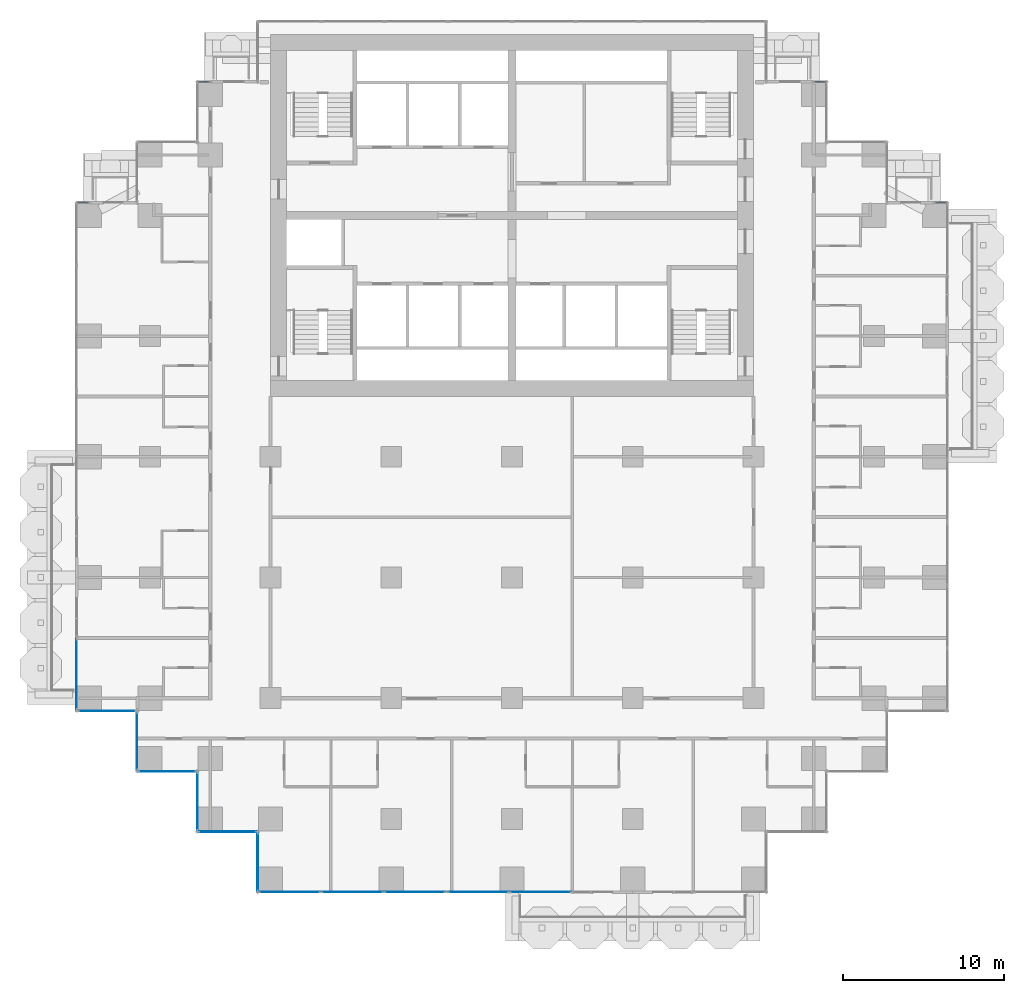
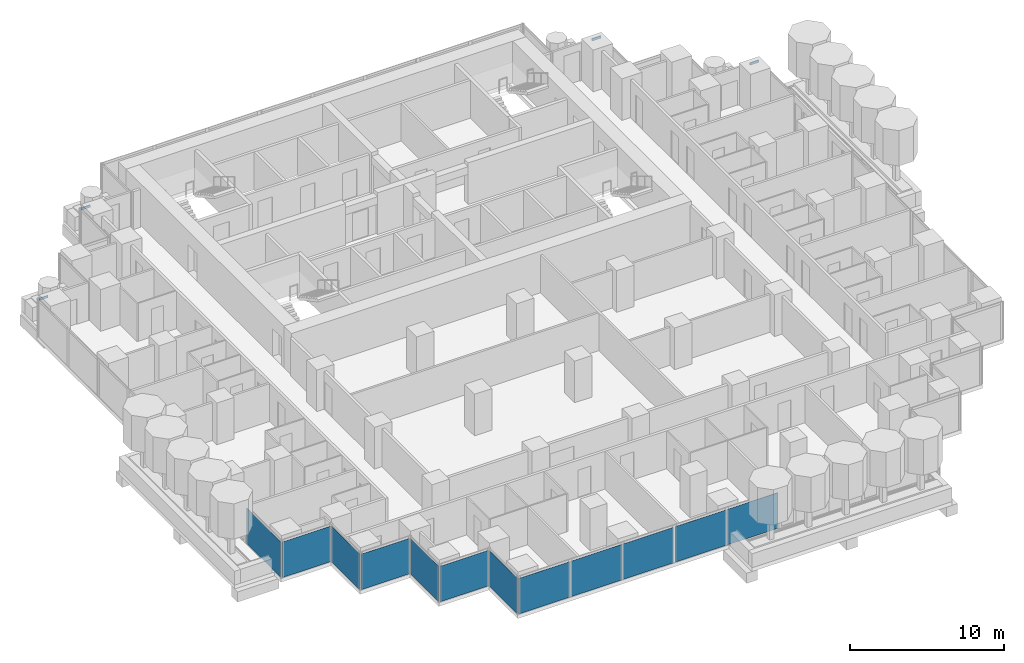
# One storey, part 7 of 19: 12 plates, 4 members, 13 elements without a shape of their own.
"""IFC4 building model written with IfcOpenShell, lengths in metres."""

from ifc_helpers import new_model, si_unit, direction, frame, origin, origin_2d, place, context, subcontext, project, spatial, rectangle, extrude, material, layer, layer_set, material_profile, profile_set, type_object, element, aggregate, save


model = new_model("IFC4")

# Units and contexts
model_context = context("Model", 3, precision=1e-05, world=origin(), true_north=direction((0.0, 1.0)))
body_context = subcontext(model_context, "Body", "Model", "MODEL_VIEW")
ifc_project = project(units=[si_unit("LENGTHUNIT", "METRE"), si_unit("AREAUNIT", "SQUARE_METRE"), si_unit("VOLUMEUNIT", "CUBIC_METRE"), si_unit("PLANEANGLEUNIT", "RADIAN"), si_unit("MASSUNIT", "GRAM", prefix="KILO")], contexts=[model_context])

# Site, building, storey
site_placement = place(None, origin())
site = spatial("IfcSite", under=ifc_project, at=site_placement, CompositionType="ELEMENT")
building_placement = place(site_placement, origin())
building = spatial("IfcBuilding", under=site, at=building_placement, Name="Pilkhan Gate Tower", CompositionType="ELEMENT")
storey_placement = place(building_placement, frame((0.0, 0.0, 59.300048828125)))
storey = spatial("IfcBuildingStorey", under=building, at=storey_placement, Name="L12", CompositionType="ELEMENT", Elevation=59.300048828125)

# Curtain wall, member
ifc_material_1 = material(Name="Pale anodised aluminium, clear low-iron double glazing", Category="aluminium")
curtain_wall_type = type_object("IfcCurtainWallType", Name="Hotel unitised curtain wall CW-H", PredefinedType="USERDEFINED", material=ifc_material_1)
curtain_wall_1_placement = place(storey_placement, origin())
curtain_wall_1 = element("IfcCurtainWall", 1, at=curtain_wall_1_placement, inside=storey, type_object=curtain_wall_type, Name="Hotel unitised curtain wall CW-H L12 N", ObjectType="UNITISED CURTAIN WALL", PredefinedType="USERDEFINED")
ifc_material_2 = material(Name="Pale anodised aluminium", Category="aluminium")
ifc_material_profile = material_profile(ifc_material_2, rectangle(XDim=0.06494140625, YDim=0.179931640625, at=origin_2d()), Name="Transom 180x65")
ifc_profile_set = profile_set([ifc_material_profile], Name="Pale anodised aluminium")
member_type = type_object("IfcMemberType", Name="Transom CW-H 180x65", PredefinedType="USERDEFINED", material=ifc_profile_set)
member_1_placement = place(storey_placement, frame((101.31494140625, 83.294921875, 2.909912109375), z_axis=(1.0, 0.0, 0.0), x_axis=(0.0, 1.0, 0.0)))
member_1 = element("IfcMember", 2, at=member_1_placement, type_object=member_type, Name="CW-H transom 1", ObjectType="TRANSOM", PredefinedType="USERDEFINED", context=body_context, shape_type="SweptSolid", body=[
    extrude(rectangle(XDim=0.06494140625, YDim=0.179931640625, at=origin_2d()), origin(), (0.0, 0.0, 1.0), 0.6650390625),
])
aggregate(curtain_wall_1, [member_1])

curtain_wall_2_placement = place(storey_placement, origin())
curtain_wall_2 = element("IfcCurtainWall", 3, at=curtain_wall_2_placement, inside=storey, type_object=curtain_wall_type, Name="Hotel unitised curtain wall CW-H L12 N", ObjectType="UNITISED CURTAIN WALL", PredefinedType="USERDEFINED")
member_2_placement = place(storey_placement, frame((93.81494140625, 90.794921875, 2.909912109375), z_axis=(1.0, 0.0, 0.0), x_axis=(0.0, 1.0, 0.0)))
member_2 = element("IfcMember", 4, at=member_2_placement, type_object=member_type, Name="CW-H transom 1", ObjectType="TRANSOM", PredefinedType="USERDEFINED", context=body_context, shape_type="SweptSolid", body=[
    extrude(rectangle(XDim=0.06494140625, YDim=0.179931640625, at=origin_2d()), origin(), (0.0, 0.0, 1.0), 0.6650390625),
])
aggregate(curtain_wall_2, [member_2])

curtain_wall_3_placement = place(storey_placement, origin())
curtain_wall_3 = element("IfcCurtainWall", 5, at=curtain_wall_3_placement, inside=storey, type_object=curtain_wall_type, Name="Hotel unitised curtain wall CW-H L12 N", ObjectType="UNITISED CURTAIN WALL", PredefinedType="USERDEFINED")
member_3_placement = place(storey_placement, frame((55.52001953125, 90.794921875, 2.909912109375), z_axis=(1.0, 0.0, 0.0), x_axis=(0.0, 1.0, 0.0)))
member_3 = element("IfcMember", 6, at=member_3_placement, type_object=member_type, Name="CW-H transom 1", ObjectType="TRANSOM", PredefinedType="USERDEFINED", context=body_context, shape_type="SweptSolid", body=[
    extrude(rectangle(XDim=0.06494140625, YDim=0.179931640625, at=origin_2d()), origin(), (0.0, 0.0, 1.0), 0.6650390625),
])
aggregate(curtain_wall_3, [member_3])

curtain_wall_4_placement = place(storey_placement, origin())
curtain_wall_4 = element("IfcCurtainWall", 7, at=curtain_wall_4_placement, inside=storey, type_object=curtain_wall_type, Name="Hotel unitised curtain wall CW-H L12 N", ObjectType="UNITISED CURTAIN WALL", PredefinedType="USERDEFINED")
member_4_placement = place(storey_placement, frame((48.02001953125, 83.294921875, 2.909912109375), z_axis=(1.0, 0.0, 0.0), x_axis=(0.0, 1.0, 0.0)))
member_4 = element("IfcMember", 8, at=member_4_placement, type_object=member_type, Name="CW-H transom 1", ObjectType="TRANSOM", PredefinedType="USERDEFINED", context=body_context, shape_type="SweptSolid", body=[
    extrude(rectangle(XDim=0.06494140625, YDim=0.179931640625, at=origin_2d()), origin(), (0.0, 0.0, 1.0), 0.6650390625),
])
aggregate(curtain_wall_4, [member_4])

# Curtain wall, plate
curtain_wall_5_placement = place(storey_placement, origin())
curtain_wall_5 = element("IfcCurtainWall", 9, at=curtain_wall_5_placement, inside=storey, type_object=curtain_wall_type, Name="Hotel unitised curtain wall CW-H L12 W", ObjectType="UNITISED CURTAIN WALL", PredefinedType="USERDEFINED")
ifc_material_3 = material(Name="Clear low-iron double glazing", Category="glass")
ifc_layer = layer(ifc_material_3, 0.035888671875)
ifc_layer_set = layer_set([ifc_layer], Name="Glass panel CW-H 36")
plate_type = type_object("IfcPlateType", Name="Glass panel CW-H 36", PredefinedType="CURTAIN_PANEL", material=ifc_layer_set)
plate_1_placement = place(storey_placement, frame((47.955078125, 53.9775390625, 0.0), z_axis=(0.0, 0.0, 1.0), x_axis=(0.0, 1.0, 0.0)))
plate_1 = element("IfcPlate", 10, at=plate_1_placement, type_object=plate_type, Name="CW-H panel 1", PredefinedType="CURTAIN_PANEL", context=body_context, shape_type="SweptSolid", body=[
    extrude(rectangle(XDim=4.4150390625, YDim=0.035888671875, at=origin_2d()), origin(), (0.0, 0.0, 1.0), 2.820068359375),
])
aggregate(curtain_wall_5, [plate_1])

curtain_wall_6_placement = place(storey_placement, origin())
curtain_wall_6 = element("IfcCurtainWall", 11, at=curtain_wall_6_placement, inside=storey, type_object=curtain_wall_type, Name="Hotel unitised curtain wall CW-H L12 S", ObjectType="UNITISED CURTAIN WALL", PredefinedType="USERDEFINED")
plate_2_placement = place(storey_placement, frame((49.830078125, 51.705078125, 0.0), z_axis=(0.0, 0.0, 1.0), x_axis=(1.0, 0.0, 0.0)))
plate_2 = element("IfcPlate", 12, at=plate_2_placement, type_object=plate_type, Name="CW-H panel 1", PredefinedType="CURTAIN_PANEL", context=body_context, shape_type="SweptSolid", body=[
    extrude(rectangle(XDim=3.6201171875, YDim=0.035888671875, at=origin_2d()), origin(), (0.0, 0.0, 1.0), 2.820068359375),
])
aggregate(curtain_wall_6, [plate_2])

curtain_wall_7_placement = place(storey_placement, origin())
curtain_wall_7 = element("IfcCurtainWall", 13, at=curtain_wall_7_placement, inside=storey, type_object=curtain_wall_type, Name="Hotel unitised curtain wall CW-H L12 W", ObjectType="UNITISED CURTAIN WALL", PredefinedType="USERDEFINED")
plate_3_placement = place(storey_placement, frame((51.705078125, 49.830078125, 0.0), z_axis=(0.0, 0.0, 1.0), x_axis=(0.0, 1.0, 0.0)))
plate_3 = element("IfcPlate", 14, at=plate_3_placement, type_object=plate_type, Name="CW-H panel 1", PredefinedType="CURTAIN_PANEL", context=body_context, shape_type="SweptSolid", body=[
    extrude(rectangle(XDim=3.6201171875, YDim=0.035888671875, at=origin_2d()), origin(), (0.0, 0.0, 1.0), 2.820068359375),
])
aggregate(curtain_wall_7, [plate_3])

curtain_wall_8_placement = place(storey_placement, origin())
curtain_wall_8 = element("IfcCurtainWall", 15, at=curtain_wall_8_placement, inside=storey, type_object=curtain_wall_type, Name="Hotel unitised curtain wall CW-H L12 S", ObjectType="UNITISED CURTAIN WALL", PredefinedType="USERDEFINED")
plate_4_placement = place(storey_placement, frame((53.580078125, 47.955078125, 0.0), z_axis=(0.0, 0.0, 1.0), x_axis=(1.0, 0.0, 0.0)))
plate_4 = element("IfcPlate", 16, at=plate_4_placement, type_object=plate_type, Name="CW-H panel 1", PredefinedType="CURTAIN_PANEL", context=body_context, shape_type="SweptSolid", body=[
    extrude(rectangle(XDim=3.6201171875, YDim=0.035888671875, at=origin_2d()), origin(), (0.0, 0.0, 1.0), 2.820068359375),
])
aggregate(curtain_wall_8, [plate_4])

curtain_wall_9_placement = place(storey_placement, origin())
curtain_wall_9 = element("IfcCurtainWall", 17, at=curtain_wall_9_placement, inside=storey, type_object=curtain_wall_type, Name="Hotel unitised curtain wall CW-H L12 W", ObjectType="UNITISED CURTAIN WALL", PredefinedType="USERDEFINED")
plate_5_placement = place(storey_placement, frame((55.455078125, 46.080078125, 0.0), z_axis=(0.0, 0.0, 1.0), x_axis=(0.0, 1.0, 0.0)))
plate_5 = element("IfcPlate", 18, at=plate_5_placement, type_object=plate_type, Name="CW-H panel 1", PredefinedType="CURTAIN_PANEL", context=body_context, shape_type="SweptSolid", body=[
    extrude(rectangle(XDim=3.6201171875, YDim=0.035888671875, at=origin_2d()), origin(), (0.0, 0.0, 1.0), 2.820068359375),
])
aggregate(curtain_wall_9, [plate_5])

curtain_wall_10_placement = place(storey_placement, origin())
curtain_wall_10 = element("IfcCurtainWall", 19, at=curtain_wall_10_placement, inside=storey, type_object=curtain_wall_type, Name="Hotel unitised curtain wall CW-H L12 S", ObjectType="UNITISED CURTAIN WALL", PredefinedType="USERDEFINED")
plate_6_placement = place(storey_placement, frame((57.330078125, 44.205078125, 0.0), z_axis=(0.0, 0.0, 1.0), x_axis=(1.0, 0.0, 0.0)))
plate_6 = element("IfcPlate", 20, at=plate_6_placement, type_object=plate_type, Name="CW-H panel 1", PredefinedType="CURTAIN_PANEL", context=body_context, shape_type="SweptSolid", body=[
    extrude(rectangle(XDim=3.6201171875, YDim=0.035888671875, at=origin_2d()), origin(), (0.0, 0.0, 1.0), 2.820068359375),
])
aggregate(curtain_wall_10, [plate_6])

curtain_wall_11_placement = place(storey_placement, origin())
curtain_wall_11 = element("IfcCurtainWall", 21, at=curtain_wall_11_placement, inside=storey, type_object=curtain_wall_type, Name="Hotel unitised curtain wall CW-H L12 W", ObjectType="UNITISED CURTAIN WALL", PredefinedType="USERDEFINED")
plate_7_placement = place(storey_placement, frame((59.205078125, 42.330078125, 0.0), z_axis=(0.0, 0.0, 1.0), x_axis=(0.0, 1.0, 0.0)))
plate_7 = element("IfcPlate", 22, at=plate_7_placement, type_object=plate_type, Name="CW-H panel 1", PredefinedType="CURTAIN_PANEL", context=body_context, shape_type="SweptSolid", body=[
    extrude(rectangle(XDim=3.6201171875, YDim=0.035888671875, at=origin_2d()), origin(), (0.0, 0.0, 1.0), 2.820068359375),
])
aggregate(curtain_wall_11, [plate_7])

# Curtain wall, plates
curtain_wall_12_placement = place(storey_placement, origin())
curtain_wall_12 = element("IfcCurtainWall", 23, at=curtain_wall_12_placement, inside=storey, type_object=curtain_wall_type, Name="Hotel unitised curtain wall CW-H L12 S", ObjectType="UNITISED CURTAIN WALL", PredefinedType="USERDEFINED")
plate_8_placement = place(storey_placement, frame((61.17578125, 40.455078125, 0.0), z_axis=(0.0, 0.0, 1.0), x_axis=(1.0, 0.0, 0.0)))
plate_8 = element("IfcPlate", 24, at=plate_8_placement, type_object=plate_type, Name="CW-H panel 1", PredefinedType="CURTAIN_PANEL", context=body_context, shape_type="SweptSolid", body=[
    extrude(rectangle(XDim=3.8115234375, YDim=0.035888671875, at=origin_2d()), origin(), (0.0, 0.0, 1.0), 2.820068359375),
])
plate_9_placement = place(storey_placement, frame((65.068603515625, 40.455078125, 0.0), z_axis=(0.0, 0.0, 1.0), x_axis=(1.0, 0.0, 0.0)))
plate_9 = element("IfcPlate", 25, at=plate_9_placement, type_object=plate_type, Name="CW-H panel 2", PredefinedType="CURTAIN_PANEL", context=body_context, shape_type="SweptSolid", body=[
    extrude(rectangle(XDim=3.843994140625, YDim=0.035888671875, at=origin_2d()), origin(), (0.0, 0.0, 1.0), 2.820068359375),
])
plate_10_placement = place(storey_placement, frame((68.961181640625, 40.455078125, 0.0), z_axis=(0.0, 0.0, 1.0), x_axis=(1.0, 0.0, 0.0)))
plate_10 = element("IfcPlate", 26, at=plate_10_placement, type_object=plate_type, Name="CW-H panel 3", PredefinedType="CURTAIN_PANEL", context=body_context, shape_type="SweptSolid", body=[
    extrude(rectangle(XDim=3.8115234375, YDim=0.035888671875, at=origin_2d()), origin(), (0.0, 0.0, 1.0), 2.820068359375),
])
aggregate(curtain_wall_12, [plate_8, plate_9, plate_10])

curtain_wall_13_placement = place(storey_placement, origin())
curtain_wall_13 = element("IfcCurtainWall", 27, at=curtain_wall_13_placement, inside=storey, type_object=curtain_wall_type, Name="Hotel unitised curtain wall CW-H L12 S", ObjectType="UNITISED CURTAIN WALL", PredefinedType="USERDEFINED")
plate_11_placement = place(storey_placement, frame((72.90283203125, 40.455078125, 0.0), z_axis=(0.0, 0.0, 1.0), x_axis=(1.0, 0.0, 0.0)))
plate_11 = element("IfcPlate", 28, at=plate_11_placement, type_object=plate_type, Name="CW-H panel 1", PredefinedType="CURTAIN_PANEL", context=body_context, shape_type="SweptSolid", body=[
    extrude(rectangle(XDim=3.8115234375, YDim=0.035888671875, at=origin_2d()), origin(), (0.0, 0.0, 1.0), 2.820068359375),
])
plate_12_placement = place(storey_placement, frame((76.779296875, 40.455078125, 0.0), z_axis=(0.0, 0.0, 1.0), x_axis=(1.0, 0.0, 0.0)))
plate_12 = element("IfcPlate", 29, at=plate_12_placement, type_object=plate_type, Name="CW-H panel 2", PredefinedType="CURTAIN_PANEL", context=body_context, shape_type="SweptSolid", body=[
    extrude(rectangle(XDim=3.8115234375, YDim=0.035888671875, at=origin_2d()), origin(), (0.0, 0.0, 1.0), 2.820068359375),
])
aggregate(curtain_wall_13, [plate_11, plate_12])

save(model, "model.ifc")
